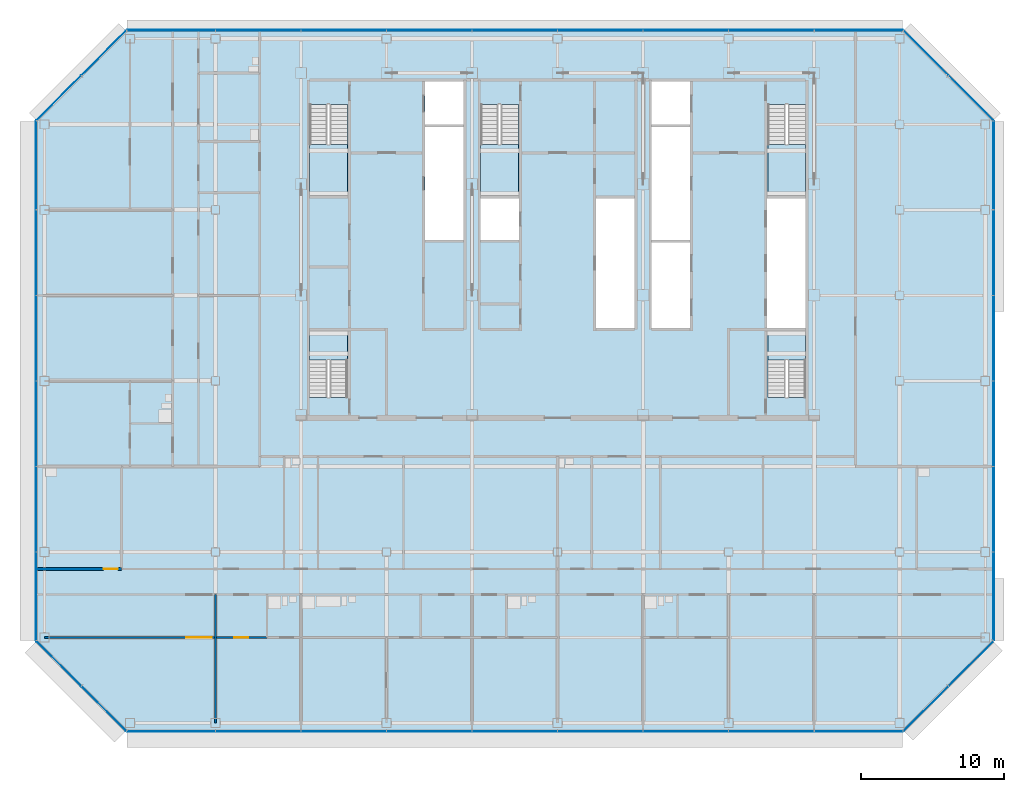
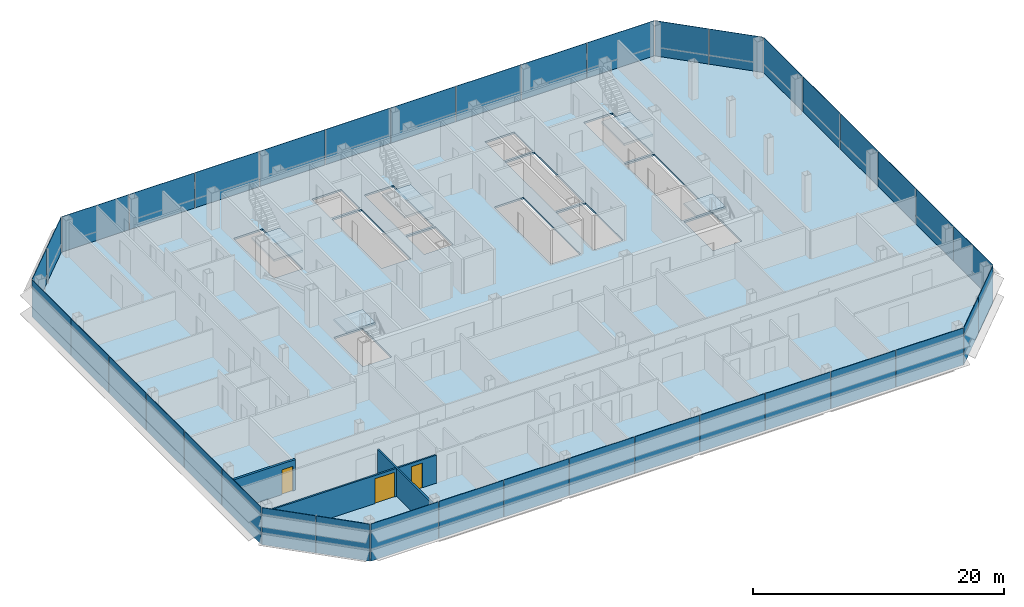
# One storey, part 19 of 27: 38 plates, 6 slabs, 3 doors, 3 walls, 3 openings, 13 elements without a shape of their own.
"""IFC4 building model written with IfcOpenShell, lengths in metres."""

from ifc_helpers import new_model, si_unit, direction, frame, frame_2d, origin, origin_2d, place, context, subcontext, project, spatial, polyline, rectangle, outline, extrude, material, layer, layer_set, type_object, element, fill, aggregate, save


model = new_model("IFC4")

# Units and contexts
model_context = context("Model", 3, precision=1e-05, world=origin(), true_north=direction((0.0, 1.0)))
body_context = subcontext(model_context, "Body", "Model", "MODEL_VIEW")
ifc_project = project(units=[si_unit("LENGTHUNIT", "METRE"), si_unit("AREAUNIT", "SQUARE_METRE"), si_unit("VOLUMEUNIT", "CUBIC_METRE"), si_unit("PLANEANGLEUNIT", "RADIAN"), si_unit("MASSUNIT", "GRAM", prefix="KILO")], contexts=[model_context])

# Site, building, storey
site_placement = place(None, origin())
site = spatial("IfcSite", under=ifc_project, at=site_placement, CompositionType="ELEMENT")
building_placement = place(site_placement, origin())
building = spatial("IfcBuilding", under=site, at=building_placement, Name="Sorahane Residences", CompositionType="ELEMENT")
storey_placement = place(building_placement, frame((0.0, 0.0, 226.199951171875)))
storey = spatial("IfcBuildingStorey", under=building, at=storey_placement, Name="L53", CompositionType="ELEMENT", Elevation=226.199951171875)

# Slab
ifc_material_1 = material(Name="Concrete C35", Category="concrete")
ifc_layer_1 = layer(ifc_material_1, 0.179931640625)
ifc_layer_set_1 = layer_set([ifc_layer_1], Name="Composite floor slab 180 mm Concrete C35")
slab_type_1 = type_object("IfcSlabType", Name="Composite floor slab 180 mm Concrete C35", PredefinedType="FLOOR", material=ifc_layer_set_1)
slab_1_placement = place(storey_placement, frame((0.0, 0.0, -0.179931640625)))
element("IfcSlab", 1, at=slab_1_placement, inside=storey, type_object=slab_type_1, Name="Slab L53", PredefinedType="FLOOR", context=body_context, shape_type="SweptSolid", body=[
    extrude(outline(polyline([(-6.24853515625, -0.60009765625), (-12.60009765625, 5.75146484375), (-12.60009765625, 42.24853515625), (-6.24853515625, 48.60009765625), (48.24853515625, 48.60009765625), (54.60009765625, 42.24853515625), (54.60009765625, 5.75146484375), (48.24853515625, -0.60009765625), (-6.24853515625, -0.60009765625)]), holes=[polyline([(38.699951171875, 27.699951171875), (41.39990234375, 27.699951171875), (41.39990234375, 36.800048828125), (38.699951171875, 36.800048828125), (38.699951171875, 27.699951171875)]), polyline([(30.60009765625, 27.699951171875), (33.300048828125, 27.699951171875), (33.300048828125, 33.699951171875), (30.60009765625, 33.699951171875), (30.60009765625, 27.699951171875)]), polyline([(30.60009765625, 42.0), (33.300048828125, 42.0), (33.300048828125, 45.0), (30.60009765625, 45.0), (30.60009765625, 42.0)]), polyline([(14.699951171875, 42.0), (17.39990234375, 42.0), (17.39990234375, 45.0), (14.699951171875, 45.0), (14.699951171875, 42.0)]), polyline([(6.60009765625, 43.39990234375), (6.60009765625, 37.0), (9.25, 37.0), (9.25, 43.39990234375), (6.60009765625, 43.39990234375)]), polyline([(38.75, 43.39990234375), (38.75, 37.0), (41.39990234375, 37.0), (41.39990234375, 43.39990234375), (38.75, 43.39990234375)]), polyline([(18.60009765625, 43.39990234375), (18.60009765625, 37.0), (21.25, 37.0), (21.25, 43.39990234375), (18.60009765625, 43.39990234375)]), polyline([(9.25, 22.85009765625), (9.25, 27.5), (6.60009765625, 27.5), (6.60009765625, 22.85009765625), (9.25, 22.85009765625)]), polyline([(41.39990234375, 22.85009765625), (41.39990234375, 27.5), (38.75, 27.5), (38.75, 22.85009765625), (41.39990234375, 22.85009765625)]), polyline([(14.699951171875, 33.89990234375), (17.39990234375, 33.89990234375), (17.39990234375, 41.800048828125), (14.699951171875, 41.800048828125), (14.699951171875, 33.89990234375)]), polyline([(30.60009765625, 33.89990234375), (33.300048828125, 33.89990234375), (33.300048828125, 41.800048828125), (30.60009765625, 41.800048828125), (30.60009765625, 33.89990234375)]), polyline([(18.60009765625, 33.89990234375), (21.300048828125, 33.89990234375), (21.300048828125, 36.800048828125), (18.60009765625, 36.800048828125), (18.60009765625, 33.89990234375)]), polyline([(26.699951171875, 27.699951171875), (29.39990234375, 27.699951171875), (29.39990234375, 36.800048828125), (26.699951171875, 36.800048828125), (26.699951171875, 27.699951171875)])]), origin(), (0.0, 0.0, 1.0), 0.179931640625),
])

# Curtain wall, plates
ifc_material_2 = material(Name="Dark low-e glass and black anodised aluminium", Category="aluminium")
curtain_wall_type_1 = type_object("IfcCurtainWallType", Name="Curtain wall CW-1 Typical unitised wall", PredefinedType="NOTDEFINED", material=ifc_material_2)
curtain_wall_1_placement = place(storey_placement, origin())
curtain_wall_1 = element("IfcCurtainWall", 2, at=curtain_wall_1_placement, inside=storey, type_object=curtain_wall_type_1, Name="CW-1 curtain wall L53 S1", PredefinedType="NOTDEFINED")
ifc_material_3 = material(Name="Dark low-e glass with black ceramic frit", Category="glass")
ifc_layer_2 = layer(ifc_material_3, 0.0400390625)
ifc_layer_set_2 = layer_set([ifc_layer_2], Name="Curtain wall glass panel dark low-e with black frit spandrel band")
plate_type = type_object("IfcPlateType", Name="Curtain wall glass panel dark low-e with black frit spandrel band", PredefinedType="CURTAIN_PANEL", material=ifc_layer_set_2)
plate_1_placement = place(storey_placement, frame((-3.11181640625, -0.60009765625, -0.179931640625), z_axis=(0.0, 0.0, 1.0), x_axis=(1.0, 0.0, 0.0)))
plate_1 = element("IfcPlate", 3, at=plate_1_placement, type_object=plate_type, Name="CW-1 glass panel L53 S1.1", PredefinedType="CURTAIN_PANEL", context=body_context, shape_type="SweptSolid", body=[
    extrude(rectangle(XDim=6.173583984375, YDim=0.0400390625, at=origin_2d()), origin(), (0.0, 0.0, 1.0), 3.60009765625),
])
plate_2_placement = place(storey_placement, frame((3.0, -0.60009765625, -0.179931640625), z_axis=(0.0, 0.0, 1.0), x_axis=(1.0, 0.0, 0.0)))
plate_2 = element("IfcPlate", 4, at=plate_2_placement, type_object=plate_type, Name="CW-1 glass panel L53 S1.2", PredefinedType="CURTAIN_PANEL", context=body_context, shape_type="SweptSolid", body=[
    extrude(rectangle(XDim=5.949951171875, YDim=0.0400390625, at=origin_2d()), origin(), (0.0, 0.0, 1.0), 3.60009765625),
])
plate_3_placement = place(storey_placement, frame((9.0, -0.60009765625, -0.179931640625), z_axis=(0.0, 0.0, 1.0), x_axis=(1.0, 0.0, 0.0)))
plate_3 = element("IfcPlate", 5, at=plate_3_placement, type_object=plate_type, Name="CW-1 glass panel L53 S1.3", PredefinedType="CURTAIN_PANEL", context=body_context, shape_type="SweptSolid", body=[
    extrude(rectangle(XDim=5.949951171875, YDim=0.0400390625, at=origin_2d()), origin(), (0.0, 0.0, 1.0), 3.60009765625),
])
plate_4_placement = place(storey_placement, frame((15.0, -0.60009765625, -0.179931640625), z_axis=(0.0, 0.0, 1.0), x_axis=(1.0, 0.0, 0.0)))
plate_4 = element("IfcPlate", 6, at=plate_4_placement, type_object=plate_type, Name="CW-1 glass panel L53 S1.4", PredefinedType="CURTAIN_PANEL", context=body_context, shape_type="SweptSolid", body=[
    extrude(rectangle(XDim=5.949951171875, YDim=0.0400390625, at=origin_2d()), origin(), (0.0, 0.0, 1.0), 3.60009765625),
])
plate_5_placement = place(storey_placement, frame((21.0, -0.60009765625, -0.179931640625), z_axis=(0.0, 0.0, 1.0), x_axis=(1.0, 0.0, 0.0)))
plate_5 = element("IfcPlate", 7, at=plate_5_placement, type_object=plate_type, Name="CW-1 glass panel L53 S1.5", PredefinedType="CURTAIN_PANEL", context=body_context, shape_type="SweptSolid", body=[
    extrude(rectangle(XDim=5.949951171875, YDim=0.0400390625, at=origin_2d()), origin(), (0.0, 0.0, 1.0), 3.60009765625),
])
plate_6_placement = place(storey_placement, frame((27.0, -0.60009765625, -0.179931640625), z_axis=(0.0, 0.0, 1.0), x_axis=(1.0, 0.0, 0.0)))
plate_6 = element("IfcPlate", 8, at=plate_6_placement, type_object=plate_type, Name="CW-1 glass panel L53 S1.6", PredefinedType="CURTAIN_PANEL", context=body_context, shape_type="SweptSolid", body=[
    extrude(rectangle(XDim=5.949951171875, YDim=0.0400390625, at=origin_2d()), origin(), (0.0, 0.0, 1.0), 3.60009765625),
])
plate_7_placement = place(storey_placement, frame((33.0, -0.60009765625, -0.179931640625), z_axis=(0.0, 0.0, 1.0), x_axis=(1.0, 0.0, 0.0)))
plate_7 = element("IfcPlate", 9, at=plate_7_placement, type_object=plate_type, Name="CW-1 glass panel L53 S1.7", PredefinedType="CURTAIN_PANEL", context=body_context, shape_type="SweptSolid", body=[
    extrude(rectangle(XDim=5.949951171875, YDim=0.0400390625, at=origin_2d()), origin(), (0.0, 0.0, 1.0), 3.60009765625),
])
plate_8_placement = place(storey_placement, frame((39.0, -0.60009765625, -0.179931640625), z_axis=(0.0, 0.0, 1.0), x_axis=(1.0, 0.0, 0.0)))
plate_8 = element("IfcPlate", 10, at=plate_8_placement, type_object=plate_type, Name="CW-1 glass panel L53 S1.8", PredefinedType="CURTAIN_PANEL", context=body_context, shape_type="SweptSolid", body=[
    extrude(rectangle(XDim=5.949951171875, YDim=0.0400390625, at=origin_2d()), origin(), (0.0, 0.0, 1.0), 3.60009765625),
])
plate_9_placement = place(storey_placement, frame((45.11181640625, -0.60009765625, -0.179931640625), z_axis=(0.0, 0.0, 1.0), x_axis=(1.0, 0.0, 0.0)))
plate_9 = element("IfcPlate", 11, at=plate_9_placement, type_object=plate_type, Name="CW-1 glass panel L53 S1.9", PredefinedType="CURTAIN_PANEL", context=body_context, shape_type="SweptSolid", body=[
    extrude(rectangle(XDim=6.173583984375, YDim=0.0400390625, at=origin_2d()), origin(), (0.0, 0.0, 1.0), 3.60009765625),
])
aggregate(curtain_wall_1, [plate_1, plate_2, plate_3, plate_4, plate_5, plate_6, plate_7, plate_8, plate_9])

ifc_material_4 = material(Name="Dark low-e glass and black anodised aluminium", Category="aluminium")
curtain_wall_type_2 = type_object("IfcCurtainWallType", Name="Curtain wall CW-2 Chamfer unitised wall", PredefinedType="NOTDEFINED", material=ifc_material_4)
curtain_wall_2_placement = place(storey_placement, origin())
curtain_wall_2 = element("IfcCurtainWall", 12, at=curtain_wall_2_placement, inside=storey, type_object=curtain_wall_type_2, Name="CW-2 curtain wall L53 SE1", PredefinedType="NOTDEFINED")
plate_10_placement = place(storey_placement, frame((49.84521484375, 0.996826171875, -0.179931640625), z_axis=(0.0, 0.0, 1.0), x_axis=(0.707106781187, 0.707106781187, 0.0)))
plate_10 = element("IfcPlate", 13, at=plate_10_placement, type_object=plate_type, Name="CW-2 glass panel L53 SE1.1", PredefinedType="CURTAIN_PANEL", context=body_context, shape_type="SweptSolid", body=[
    extrude(rectangle(XDim=4.416259765625, YDim=0.0400390625, at=origin_2d()), origin(), (0.0, 0.0, 1.0), 3.60009765625),
])
plate_11_placement = place(storey_placement, frame((53.003173828125, 4.15478515625, -0.179931640625), z_axis=(0.0, 0.0, 1.0), x_axis=(0.707106781187, 0.707106781187, 0.0)))
plate_11 = element("IfcPlate", 14, at=plate_11_placement, type_object=plate_type, Name="CW-2 glass panel L53 SE1.2", PredefinedType="CURTAIN_PANEL", context=body_context, shape_type="SweptSolid", body=[
    extrude(rectangle(XDim=4.416259765625, YDim=0.0400390625, at=origin_2d()), origin(), (0.0, 0.0, 1.0), 3.60009765625),
])
aggregate(curtain_wall_2, [plate_10, plate_11])

curtain_wall_3_placement = place(storey_placement, origin())
curtain_wall_3 = element("IfcCurtainWall", 15, at=curtain_wall_3_placement, inside=storey, type_object=curtain_wall_type_1, Name="CW-1 curtain wall L53 E1", PredefinedType="NOTDEFINED")
plate_12_placement = place(storey_placement, frame((54.60009765625, 8.88818359375, -0.179931640625), z_axis=(0.0, 0.0, 1.0), x_axis=(0.0, 1.0, 0.0)))
plate_12 = element("IfcPlate", 16, at=plate_12_placement, type_object=plate_type, Name="CW-1 glass panel L53 E1.1", PredefinedType="CURTAIN_PANEL", context=body_context, shape_type="SweptSolid", body=[
    extrude(rectangle(XDim=6.173583984375, YDim=0.0400390625, at=origin_2d()), origin(), (0.0, 0.0, 1.0), 3.60009765625),
])
plate_13_placement = place(storey_placement, frame((54.60009765625, 15.0, -0.179931640625), z_axis=(0.0, 0.0, 1.0), x_axis=(0.0, 1.0, 0.0)))
plate_13 = element("IfcPlate", 17, at=plate_13_placement, type_object=plate_type, Name="CW-1 glass panel L53 E1.2", PredefinedType="CURTAIN_PANEL", context=body_context, shape_type="SweptSolid", body=[
    extrude(rectangle(XDim=5.949951171875, YDim=0.0400390625, at=origin_2d()), origin(), (0.0, 0.0, 1.0), 3.60009765625),
])
plate_14_placement = place(storey_placement, frame((54.60009765625, 21.0, -0.179931640625), z_axis=(0.0, 0.0, 1.0), x_axis=(0.0, 1.0, 0.0)))
plate_14 = element("IfcPlate", 18, at=plate_14_placement, type_object=plate_type, Name="CW-1 glass panel L53 E1.3", PredefinedType="CURTAIN_PANEL", context=body_context, shape_type="SweptSolid", body=[
    extrude(rectangle(XDim=5.949951171875, YDim=0.0400390625, at=origin_2d()), origin(), (0.0, 0.0, 1.0), 3.60009765625),
])
plate_15_placement = place(storey_placement, frame((54.60009765625, 27.0, -0.179931640625), z_axis=(0.0, 0.0, 1.0), x_axis=(0.0, 1.0, 0.0)))
plate_15 = element("IfcPlate", 19, at=plate_15_placement, type_object=plate_type, Name="CW-1 glass panel L53 E1.4", PredefinedType="CURTAIN_PANEL", context=body_context, shape_type="SweptSolid", body=[
    extrude(rectangle(XDim=5.949951171875, YDim=0.0400390625, at=origin_2d()), origin(), (0.0, 0.0, 1.0), 3.60009765625),
])
plate_16_placement = place(storey_placement, frame((54.60009765625, 33.0, -0.179931640625), z_axis=(0.0, 0.0, 1.0), x_axis=(0.0, 1.0, 0.0)))
plate_16 = element("IfcPlate", 20, at=plate_16_placement, type_object=plate_type, Name="CW-1 glass panel L53 E1.5", PredefinedType="CURTAIN_PANEL", context=body_context, shape_type="SweptSolid", body=[
    extrude(rectangle(XDim=5.949951171875, YDim=0.0400390625, at=origin_2d()), origin(), (0.0, 0.0, 1.0), 3.60009765625),
])
plate_17_placement = place(storey_placement, frame((54.60009765625, 39.11181640625, -0.179931640625), z_axis=(0.0, 0.0, 1.0), x_axis=(0.0, 1.0, 0.0)))
plate_17 = element("IfcPlate", 21, at=plate_17_placement, type_object=plate_type, Name="CW-1 glass panel L53 E1.6", PredefinedType="CURTAIN_PANEL", context=body_context, shape_type="SweptSolid", body=[
    extrude(rectangle(XDim=6.173583984375, YDim=0.0400390625, at=origin_2d()), origin(), (0.0, 0.0, 1.0), 3.60009765625),
])
aggregate(curtain_wall_3, [plate_12, plate_13, plate_14, plate_15, plate_16, plate_17])

curtain_wall_4_placement = place(storey_placement, origin())
curtain_wall_4 = element("IfcCurtainWall", 22, at=curtain_wall_4_placement, inside=storey, type_object=curtain_wall_type_2, Name="CW-2 curtain wall L53 NE1", PredefinedType="NOTDEFINED")
plate_18_placement = place(storey_placement, frame((53.003173828125, 43.84521484375, -0.179931640625), z_axis=(0.0, 0.0, 1.0), x_axis=(-0.707106781187, 0.707106781187, 0.0)))
plate_18 = element("IfcPlate", 23, at=plate_18_placement, type_object=plate_type, Name="CW-2 glass panel L53 NE1.1", PredefinedType="CURTAIN_PANEL", context=body_context, shape_type="SweptSolid", body=[
    extrude(rectangle(XDim=4.416259765625, YDim=0.0400390625, at=origin_2d()), origin(), (0.0, 0.0, 1.0), 3.60009765625),
])
plate_19_placement = place(storey_placement, frame((49.84521484375, 47.003173828125, -0.179931640625), z_axis=(0.0, 0.0, 1.0), x_axis=(-0.707106781187, 0.707106781187, 0.0)))
plate_19 = element("IfcPlate", 24, at=plate_19_placement, type_object=plate_type, Name="CW-2 glass panel L53 NE1.2", PredefinedType="CURTAIN_PANEL", context=body_context, shape_type="SweptSolid", body=[
    extrude(rectangle(XDim=4.416259765625, YDim=0.0400390625, at=origin_2d()), origin(), (0.0, 0.0, 1.0), 3.60009765625),
])
aggregate(curtain_wall_4, [plate_18, plate_19])

curtain_wall_5_placement = place(storey_placement, origin())
curtain_wall_5 = element("IfcCurtainWall", 25, at=curtain_wall_5_placement, inside=storey, type_object=curtain_wall_type_1, Name="CW-1 curtain wall L53 N1", PredefinedType="NOTDEFINED")
plate_20_placement = place(storey_placement, frame((45.11181640625, 48.60009765625, -0.179931640625), z_axis=(0.0, 0.0, 1.0), x_axis=(-1.0, 0.0, 0.0)))
plate_20 = element("IfcPlate", 26, at=plate_20_placement, type_object=plate_type, Name="CW-1 glass panel L53 N1.1", PredefinedType="CURTAIN_PANEL", context=body_context, shape_type="SweptSolid", body=[
    extrude(rectangle(XDim=6.173583984375, YDim=0.0400390625, at=origin_2d()), origin(), (0.0, 0.0, 1.0), 3.60009765625),
])
plate_21_placement = place(storey_placement, frame((39.0, 48.60009765625, -0.179931640625), z_axis=(0.0, 0.0, 1.0), x_axis=(-1.0, 0.0, 0.0)))
plate_21 = element("IfcPlate", 27, at=plate_21_placement, type_object=plate_type, Name="CW-1 glass panel L53 N1.2", PredefinedType="CURTAIN_PANEL", context=body_context, shape_type="SweptSolid", body=[
    extrude(rectangle(XDim=5.949951171875, YDim=0.0400390625, at=origin_2d()), origin(), (0.0, 0.0, 1.0), 3.60009765625),
])
plate_22_placement = place(storey_placement, frame((33.0, 48.60009765625, -0.179931640625), z_axis=(0.0, 0.0, 1.0), x_axis=(-1.0, 0.0, 0.0)))
plate_22 = element("IfcPlate", 28, at=plate_22_placement, type_object=plate_type, Name="CW-1 glass panel L53 N1.3", PredefinedType="CURTAIN_PANEL", context=body_context, shape_type="SweptSolid", body=[
    extrude(rectangle(XDim=5.949951171875, YDim=0.0400390625, at=origin_2d()), origin(), (0.0, 0.0, 1.0), 3.60009765625),
])
plate_23_placement = place(storey_placement, frame((27.0, 48.60009765625, -0.179931640625), z_axis=(0.0, 0.0, 1.0), x_axis=(-1.0, 0.0, 0.0)))
plate_23 = element("IfcPlate", 29, at=plate_23_placement, type_object=plate_type, Name="CW-1 glass panel L53 N1.4", PredefinedType="CURTAIN_PANEL", context=body_context, shape_type="SweptSolid", body=[
    extrude(rectangle(XDim=5.949951171875, YDim=0.0400390625, at=origin_2d()), origin(), (0.0, 0.0, 1.0), 3.60009765625),
])
plate_24_placement = place(storey_placement, frame((21.0, 48.60009765625, -0.179931640625), z_axis=(0.0, 0.0, 1.0), x_axis=(-1.0, 0.0, 0.0)))
plate_24 = element("IfcPlate", 30, at=plate_24_placement, type_object=plate_type, Name="CW-1 glass panel L53 N1.5", PredefinedType="CURTAIN_PANEL", context=body_context, shape_type="SweptSolid", body=[
    extrude(rectangle(XDim=5.949951171875, YDim=0.0400390625, at=origin_2d()), origin(), (0.0, 0.0, 1.0), 3.60009765625),
])
plate_25_placement = place(storey_placement, frame((15.0, 48.60009765625, -0.179931640625), z_axis=(0.0, 0.0, 1.0), x_axis=(-1.0, 0.0, 0.0)))
plate_25 = element("IfcPlate", 31, at=plate_25_placement, type_object=plate_type, Name="CW-1 glass panel L53 N1.6", PredefinedType="CURTAIN_PANEL", context=body_context, shape_type="SweptSolid", body=[
    extrude(rectangle(XDim=5.949951171875, YDim=0.0400390625, at=origin_2d()), origin(), (0.0, 0.0, 1.0), 3.60009765625),
])
plate_26_placement = place(storey_placement, frame((9.0, 48.60009765625, -0.179931640625), z_axis=(0.0, 0.0, 1.0), x_axis=(-1.0, 0.0, 0.0)))
plate_26 = element("IfcPlate", 32, at=plate_26_placement, type_object=plate_type, Name="CW-1 glass panel L53 N1.7", PredefinedType="CURTAIN_PANEL", context=body_context, shape_type="SweptSolid", body=[
    extrude(rectangle(XDim=5.949951171875, YDim=0.0400390625, at=origin_2d()), origin(), (0.0, 0.0, 1.0), 3.60009765625),
])
plate_27_placement = place(storey_placement, frame((3.0, 48.60009765625, -0.179931640625), z_axis=(0.0, 0.0, 1.0), x_axis=(-1.0, 0.0, 0.0)))
plate_27 = element("IfcPlate", 33, at=plate_27_placement, type_object=plate_type, Name="CW-1 glass panel L53 N1.8", PredefinedType="CURTAIN_PANEL", context=body_context, shape_type="SweptSolid", body=[
    extrude(rectangle(XDim=5.949951171875, YDim=0.0400390625, at=origin_2d()), origin(), (0.0, 0.0, 1.0), 3.60009765625),
])
plate_28_placement = place(storey_placement, frame((-3.11181640625, 48.60009765625, -0.179931640625), z_axis=(0.0, 0.0, 1.0), x_axis=(-1.0, 0.0, 0.0)))
plate_28 = element("IfcPlate", 34, at=plate_28_placement, type_object=plate_type, Name="CW-1 glass panel L53 N1.9", PredefinedType="CURTAIN_PANEL", context=body_context, shape_type="SweptSolid", body=[
    extrude(rectangle(XDim=6.173583984375, YDim=0.0400390625, at=origin_2d()), origin(), (0.0, 0.0, 1.0), 3.60009765625),
])
aggregate(curtain_wall_5, [plate_20, plate_21, plate_22, plate_23, plate_24, plate_25, plate_26, plate_27, plate_28])

curtain_wall_6_placement = place(storey_placement, origin())
curtain_wall_6 = element("IfcCurtainWall", 35, at=curtain_wall_6_placement, inside=storey, type_object=curtain_wall_type_2, Name="CW-2 curtain wall L53 NW1", PredefinedType="NOTDEFINED")
plate_29_placement = place(storey_placement, frame((-7.84521484375, 47.003173828125, -0.179931640625), z_axis=(0.0, 0.0, 1.0), x_axis=(-0.707106781187, -0.707106781187, 0.0)))
plate_29 = element("IfcPlate", 36, at=plate_29_placement, type_object=plate_type, Name="CW-2 glass panel L53 NW1.1", PredefinedType="CURTAIN_PANEL", context=body_context, shape_type="SweptSolid", body=[
    extrude(rectangle(XDim=4.416259765625, YDim=0.0400390625, at=origin_2d()), origin(), (0.0, 0.0, 1.0), 3.60009765625),
])
plate_30_placement = place(storey_placement, frame((-11.003173828125, 43.84521484375, -0.179931640625), z_axis=(0.0, 0.0, 1.0), x_axis=(-0.707106781187, -0.707106781187, 0.0)))
plate_30 = element("IfcPlate", 37, at=plate_30_placement, type_object=plate_type, Name="CW-2 glass panel L53 NW1.2", PredefinedType="CURTAIN_PANEL", context=body_context, shape_type="SweptSolid", body=[
    extrude(rectangle(XDim=4.416259765625, YDim=0.0400390625, at=origin_2d()), origin(), (0.0, 0.0, 1.0), 3.60009765625),
])
aggregate(curtain_wall_6, [plate_29, plate_30])

curtain_wall_7_placement = place(storey_placement, origin())
curtain_wall_7 = element("IfcCurtainWall", 38, at=curtain_wall_7_placement, inside=storey, type_object=curtain_wall_type_1, Name="CW-1 curtain wall L53 W1", PredefinedType="NOTDEFINED")
plate_31_placement = place(storey_placement, frame((-12.60009765625, 39.11181640625, -0.179931640625), z_axis=(0.0, 0.0, 1.0), x_axis=(0.0, -1.0, 0.0)))
plate_31 = element("IfcPlate", 39, at=plate_31_placement, type_object=plate_type, Name="CW-1 glass panel L53 W1.1", PredefinedType="CURTAIN_PANEL", context=body_context, shape_type="SweptSolid", body=[
    extrude(rectangle(XDim=6.173583984375, YDim=0.0400390625, at=origin_2d()), origin(), (0.0, 0.0, 1.0), 3.60009765625),
])
plate_32_placement = place(storey_placement, frame((-12.60009765625, 33.0, -0.179931640625), z_axis=(0.0, 0.0, 1.0), x_axis=(0.0, -1.0, 0.0)))
plate_32 = element("IfcPlate", 40, at=plate_32_placement, type_object=plate_type, Name="CW-1 glass panel L53 W1.2", PredefinedType="CURTAIN_PANEL", context=body_context, shape_type="SweptSolid", body=[
    extrude(rectangle(XDim=5.949951171875, YDim=0.0400390625, at=origin_2d()), origin(), (0.0, 0.0, 1.0), 3.60009765625),
])
plate_33_placement = place(storey_placement, frame((-12.60009765625, 27.0, -0.179931640625), z_axis=(0.0, 0.0, 1.0), x_axis=(0.0, -1.0, 0.0)))
plate_33 = element("IfcPlate", 41, at=plate_33_placement, type_object=plate_type, Name="CW-1 glass panel L53 W1.3", PredefinedType="CURTAIN_PANEL", context=body_context, shape_type="SweptSolid", body=[
    extrude(rectangle(XDim=5.949951171875, YDim=0.0400390625, at=origin_2d()), origin(), (0.0, 0.0, 1.0), 3.60009765625),
])
plate_34_placement = place(storey_placement, frame((-12.60009765625, 21.0, -0.179931640625), z_axis=(0.0, 0.0, 1.0), x_axis=(0.0, -1.0, 0.0)))
plate_34 = element("IfcPlate", 42, at=plate_34_placement, type_object=plate_type, Name="CW-1 glass panel L53 W1.4", PredefinedType="CURTAIN_PANEL", context=body_context, shape_type="SweptSolid", body=[
    extrude(rectangle(XDim=5.949951171875, YDim=0.0400390625, at=origin_2d()), origin(), (0.0, 0.0, 1.0), 3.60009765625),
])
plate_35_placement = place(storey_placement, frame((-12.60009765625, 15.0, -0.179931640625), z_axis=(0.0, 0.0, 1.0), x_axis=(0.0, -1.0, 0.0)))
plate_35 = element("IfcPlate", 43, at=plate_35_placement, type_object=plate_type, Name="CW-1 glass panel L53 W1.5", PredefinedType="CURTAIN_PANEL", context=body_context, shape_type="SweptSolid", body=[
    extrude(rectangle(XDim=5.949951171875, YDim=0.0400390625, at=origin_2d()), origin(), (0.0, 0.0, 1.0), 3.60009765625),
])
plate_36_placement = place(storey_placement, frame((-12.60009765625, 8.88818359375, -0.179931640625), z_axis=(0.0, 0.0, 1.0), x_axis=(0.0, -1.0, 0.0)))
plate_36 = element("IfcPlate", 44, at=plate_36_placement, type_object=plate_type, Name="CW-1 glass panel L53 W1.6", PredefinedType="CURTAIN_PANEL", context=body_context, shape_type="SweptSolid", body=[
    extrude(rectangle(XDim=6.173583984375, YDim=0.0400390625, at=origin_2d()), origin(), (0.0, 0.0, 1.0), 3.60009765625),
])
aggregate(curtain_wall_7, [plate_31, plate_32, plate_33, plate_34, plate_35, plate_36])

curtain_wall_8_placement = place(storey_placement, origin())
curtain_wall_8 = element("IfcCurtainWall", 45, at=curtain_wall_8_placement, inside=storey, type_object=curtain_wall_type_2, Name="CW-2 curtain wall L53 SW1", PredefinedType="NOTDEFINED")
plate_37_placement = place(storey_placement, frame((-11.003173828125, 4.15478515625, -0.179931640625), z_axis=(0.0, 0.0, 1.0), x_axis=(0.707106781187, -0.707106781187, 0.0)))
plate_37 = element("IfcPlate", 46, at=plate_37_placement, type_object=plate_type, Name="CW-2 glass panel L53 SW1.1", PredefinedType="CURTAIN_PANEL", context=body_context, shape_type="SweptSolid", body=[
    extrude(rectangle(XDim=4.416259765625, YDim=0.0400390625, at=origin_2d()), origin(), (0.0, 0.0, 1.0), 3.60009765625),
])
plate_38_placement = place(storey_placement, frame((-7.84521484375, 0.996826171875, -0.179931640625), z_axis=(0.0, 0.0, 1.0), x_axis=(0.707106781187, -0.707106781187, 0.0)))
plate_38 = element("IfcPlate", 47, at=plate_38_placement, type_object=plate_type, Name="CW-2 glass panel L53 SW1.2", PredefinedType="CURTAIN_PANEL", context=body_context, shape_type="SweptSolid", body=[
    extrude(rectangle(XDim=4.416259765625, YDim=0.0400390625, at=origin_2d()), origin(), (0.0, 0.0, 1.0), 3.60009765625),
])
aggregate(curtain_wall_8, [plate_37, plate_38])

# Stair, slab
ifc_material_5 = material(Name="Concrete C40", Category="concrete")
stair_type = type_object("IfcStairType", Name="Dog-leg stair 1250 Concrete C40", PredefinedType="HALF_TURN_STAIR", material=ifc_material_5)
stair_1_placement = place(storey_placement, origin())
stair_1 = element("IfcStair", 48, at=stair_1_placement, inside=storey, type_object=stair_type, Name="L53 Stair S1", PredefinedType="HALF_TURN_STAIR")
ifc_material_6 = material(Name="Concrete C40", Category="concrete")
ifc_layer_3 = layer(ifc_material_6, 0.199951171875)
ifc_layer_set_3 = layer_set([ifc_layer_3], Name="Stair landing 200 Concrete C40")
slab_type_2 = type_object("IfcSlabType", Name="Stair landing 200 Concrete C40", PredefinedType="LANDING", material=ifc_layer_set_3)
slab_2_placement = place(storey_placement, frame((0.0, 0.0, 1.60009765625)))
slab_2 = element("IfcSlab", 49, at=slab_2_placement, type_object=slab_type_2, Name="S1 landing 1", PredefinedType="LANDING", context=body_context, shape_type="SweptSolid", body=[
    extrude(outline(polyline([(6.60009765625, 40.60009765625), (6.60009765625, 37.0), (9.25, 37.0), (9.25, 40.60009765625), (6.60009765625, 40.60009765625)])), origin(), (0.0, 0.0, 1.0), 0.199951171875),
])
aggregate(stair_1, [slab_2])

stair_2_placement = place(storey_placement, origin())
stair_2 = element("IfcStair", 50, at=stair_2_placement, inside=storey, type_object=stair_type, Name="L53 Stair S2", PredefinedType="HALF_TURN_STAIR")
slab_3_placement = place(storey_placement, frame((0.0, 0.0, 1.60009765625)))
slab_3 = element("IfcSlab", 51, at=slab_3_placement, type_object=slab_type_2, Name="S2 landing 1", PredefinedType="LANDING", context=body_context, shape_type="SweptSolid", body=[
    extrude(outline(polyline([(38.75, 40.60009765625), (38.75, 37.0), (41.39990234375, 37.0), (41.39990234375, 40.60009765625), (38.75, 40.60009765625)])), origin(), (0.0, 0.0, 1.0), 0.199951171875),
])
aggregate(stair_2, [slab_3])

stair_3_placement = place(storey_placement, origin())
stair_3 = element("IfcStair", 52, at=stair_3_placement, inside=storey, type_object=stair_type, Name="L53 Stair S3", PredefinedType="HALF_TURN_STAIR")
slab_4_placement = place(storey_placement, frame((0.0, 0.0, 1.60009765625)))
slab_4 = element("IfcSlab", 53, at=slab_4_placement, type_object=slab_type_2, Name="S3 landing 1", PredefinedType="LANDING", context=body_context, shape_type="SweptSolid", body=[
    extrude(outline(polyline([(18.60009765625, 40.60009765625), (18.60009765625, 37.0), (21.25, 37.0), (21.25, 40.60009765625), (18.60009765625, 40.60009765625)])), origin(), (0.0, 0.0, 1.0), 0.199951171875),
])
aggregate(stair_3, [slab_4])

stair_4_placement = place(storey_placement, origin())
stair_4 = element("IfcStair", 54, at=stair_4_placement, inside=storey, type_object=stair_type, Name="L53 Stair S4", PredefinedType="HALF_TURN_STAIR")
slab_5_placement = place(storey_placement, frame((0.0, 0.0, 1.60009765625)))
slab_5 = element("IfcSlab", 55, at=slab_5_placement, type_object=slab_type_2, Name="S4 landing 1", PredefinedType="LANDING", context=body_context, shape_type="SweptSolid", body=[
    extrude(outline(polyline([(9.25, 25.449951171875), (9.25, 27.5), (6.60009765625, 27.5), (6.60009765625, 25.449951171875), (9.25, 25.449951171875)])), origin(), (0.0, 0.0, 1.0), 0.199951171875),
])
aggregate(stair_4, [slab_5])

stair_5_placement = place(storey_placement, origin())
stair_5 = element("IfcStair", 56, at=stair_5_placement, inside=storey, type_object=stair_type, Name="L53 Stair S5", PredefinedType="HALF_TURN_STAIR")
slab_6_placement = place(storey_placement, frame((0.0, 0.0, 1.60009765625)))
slab_6 = element("IfcSlab", 57, at=slab_6_placement, type_object=slab_type_2, Name="S5 landing 1", PredefinedType="LANDING", context=body_context, shape_type="SweptSolid", body=[
    extrude(outline(polyline([(41.39990234375, 25.449951171875), (41.39990234375, 27.5), (38.75, 27.5), (38.75, 25.449951171875), (41.39990234375, 25.449951171875)])), origin(), (0.0, 0.0, 1.0), 0.199951171875),
])
aggregate(stair_5, [slab_6])

# Wall, opening, door
ifc_material_7 = material(Name="Concrete blockwork C20 wall", Category="masonry")
ifc_layer_4 = layer(ifc_material_7, 0.199951171875)
ifc_layer_set_4 = layer_set([ifc_layer_4], Name="Kitchen wall 200 EI 180")
wall_type_1 = type_object("IfcWallType", Name="Kitchen wall 200 EI 180", PredefinedType="SOLIDWALL", material=ifc_layer_set_4)
wall_1_placement = place(storey_placement, frame((-12.60009765625, 10.800048828125, 0.0), z_axis=(0.0, 0.0, 1.0), x_axis=(1.0, 0.0, 0.0)))
wall_1 = element("IfcWall", 58, at=wall_1_placement, inside=storey, type_object=wall_type_1, Name="L53 kitchen wall", PredefinedType="SOLIDWALL", context=body_context, shape_type="SweptSolid", body=[
    extrude(rectangle(XDim=6.0, YDim=0.199951171875, at=frame_2d((3.0, 0.0))), origin(), (0.0, 0.0, 1.0), 2.969970703125),
])
opening_1_placement = place(wall_1_placement, frame((4.75, 0.0, 0.0)))
opening_1 = element("IfcOpeningElement", 59, at=opening_1_placement, cuts=wall_1, Name="Opening L53-02", PredefinedType="OPENING", context=body_context, shape_type="SweptSolid", body=[
    extrude(rectangle(XDim=1.0, YDim=2.39990234375, at=frame_2d((0.5, 1.199951171875))), frame((0.0, 0.10986328125, 0.0), z_axis=(0.0, -1.0, 0.0), x_axis=(1.0, 0.0, 0.0)), (0.0, 0.0, 1.0), 0.219970703125),
])
ifc_material_8 = material(Name="Steel", Category="steel")
door_type_1 = type_object("IfcDoorType", Name="Kitchen door 1000x2400 FD120", OperationType="NOTDEFINED", PredefinedType="DOOR", material=ifc_material_8)
door_1_placement = place(opening_1_placement, origin())
door_1 = element("IfcDoor", 60, at=door_1_placement, inside=storey, type_object=door_type_1, Name="Kitchen door L53-02", OperationType="SINGLE_SWING_RIGHT", OverallHeight=2.39990234375, OverallWidth=1.0, PredefinedType="DOOR", context=body_context, shape_type="SweptSolid", body=[
    extrude(rectangle(XDim=1.0, YDim=2.39990234375, at=frame_2d((0.5, 1.199951171875))), frame((0.0, 0.02490234375, 0.0), z_axis=(0.0, -1.0, 0.0), x_axis=(1.0, 0.0, 0.0)), (0.0, 0.0, 1.0), 0.050048828125),
])
fill(opening_1, door_1)

# Wall
ifc_material_9 = material(Name="Gypsum board partition on steel studs", Category="steel")
ifc_layer_5 = layer(ifc_material_9, 0.14990234375)
ifc_layer_set_5 = layer_set([ifc_layer_5], Name="Partition 150 EI 90")
wall_type_2 = type_object("IfcWallType", Name="Partition 150 EI 90", PredefinedType="PARTITIONING", material=ifc_layer_set_5)
wall_2_placement = place(storey_placement, frame((0.0, 0.0, 0.0), z_axis=(0.0, 0.0, 1.0), x_axis=(0.0, 1.0, 0.0)))
element("IfcWall", 61, at=wall_2_placement, inside=storey, type_object=wall_type_2, Name="L53 partition", PredefinedType="PARTITIONING", context=body_context, shape_type="SweptSolid", body=[
    extrude(rectangle(XDim=9.0, YDim=0.14990234375, at=frame_2d((4.5, 0.0))), origin(), (0.0, 0.0, 1.0), 2.719970703125),
])

# Wall, openings, doors
wall_3_placement = place(storey_placement, frame((-12.0, 6.0, 0.0), z_axis=(0.0, 0.0, 1.0), x_axis=(1.0, 0.0, 0.0)))
wall_3 = element("IfcWall", 62, at=wall_3_placement, inside=storey, type_object=wall_type_2, Name="L53 partition", PredefinedType="PARTITIONING", context=body_context, shape_type="SweptSolid", body=[
    extrude(rectangle(XDim=15.60009765625, YDim=0.14990234375, at=frame_2d((7.800048828125, 0.0))), origin(), (0.0, 0.0, 1.0), 2.719970703125),
])
opening_2_placement = place(wall_3_placement, frame((9.949951171875, 0.0, 0.0)))
opening_2 = element("IfcOpeningElement", 63, at=opening_2_placement, cuts=wall_3, Name="Opening L53-10", PredefinedType="OPENING", context=body_context, shape_type="SweptSolid", body=[
    extrude(rectangle(XDim=1.800048828125, YDim=2.39990234375, at=frame_2d((0.89990234375, 1.199951171875))), frame((0.0, 0.0849609375, 0.0), z_axis=(0.0, -1.0, 0.0), x_axis=(1.0, 0.0, 0.0)), (0.0, 0.0, 1.0), 0.169921875),
])
opening_3_placement = place(wall_3_placement, frame((13.300048828125, 0.0, 0.0)))
opening_3 = element("IfcOpeningElement", 64, at=opening_3_placement, cuts=wall_3, Name="Opening L53-11", PredefinedType="OPENING", context=body_context, shape_type="SweptSolid", body=[
    extrude(rectangle(XDim=1.0, YDim=2.39990234375, at=frame_2d((0.5, 1.199951171875))), frame((0.0, 0.0849609375, 0.0), z_axis=(0.0, -1.0, 0.0), x_axis=(1.0, 0.0, 0.0)), (0.0, 0.0, 1.0), 0.169921875),
])
ifc_material_10 = material(Name="Timber veneered fire door", Category="wood")
door_type_2 = type_object("IfcDoorType", Name="Double door 1800x2400 FD30", OperationType="NOTDEFINED", PredefinedType="DOOR", material=ifc_material_10)
door_2_placement = place(opening_2_placement, frame((1.800048828125, 0.0, 0.0), z_axis=(0.0, 0.0, 1.0), x_axis=(-1.0, 0.0, 0.0)))
door_2 = element("IfcDoor", 65, at=door_2_placement, inside=storey, type_object=door_type_2, Name="Double door L53-10", OperationType="SINGLE_SWING_RIGHT", OverallHeight=2.39990234375, OverallWidth=1.800048828125, PredefinedType="DOOR", context=body_context, shape_type="SweptSolid", body=[
    extrude(rectangle(XDim=1.800048828125, YDim=2.39990234375, at=frame_2d((0.89990234375, 1.199951171875))), frame((0.0, 0.02490234375, 0.0), z_axis=(0.0, -1.0, 0.0), x_axis=(1.0, 0.0, 0.0)), (0.0, 0.0, 1.0), 0.050048828125),
])
fill(opening_2, door_2)
ifc_material_11 = material(Name="Timber veneered fire door", Category="wood")
door_type_3 = type_object("IfcDoorType", Name="Room door 1000x2400 FD30", OperationType="NOTDEFINED", PredefinedType="DOOR", material=ifc_material_11)
door_3_placement = place(opening_3_placement, frame((1.0, 0.0, 0.0), z_axis=(0.0, 0.0, 1.0), x_axis=(-1.0, 0.0, 0.0)))
door_3 = element("IfcDoor", 66, at=door_3_placement, inside=storey, type_object=door_type_3, Name="Room door L53-11", OperationType="SINGLE_SWING_RIGHT", OverallHeight=2.39990234375, OverallWidth=1.0, PredefinedType="DOOR", context=body_context, shape_type="SweptSolid", body=[
    extrude(rectangle(XDim=1.0, YDim=2.39990234375, at=frame_2d((0.5, 1.199951171875))), frame((0.0, 0.02490234375, 0.0), z_axis=(0.0, -1.0, 0.0), x_axis=(1.0, 0.0, 0.0)), (0.0, 0.0, 1.0), 0.050048828125),
])
fill(opening_3, door_3)

save(model, "model.ifc")
